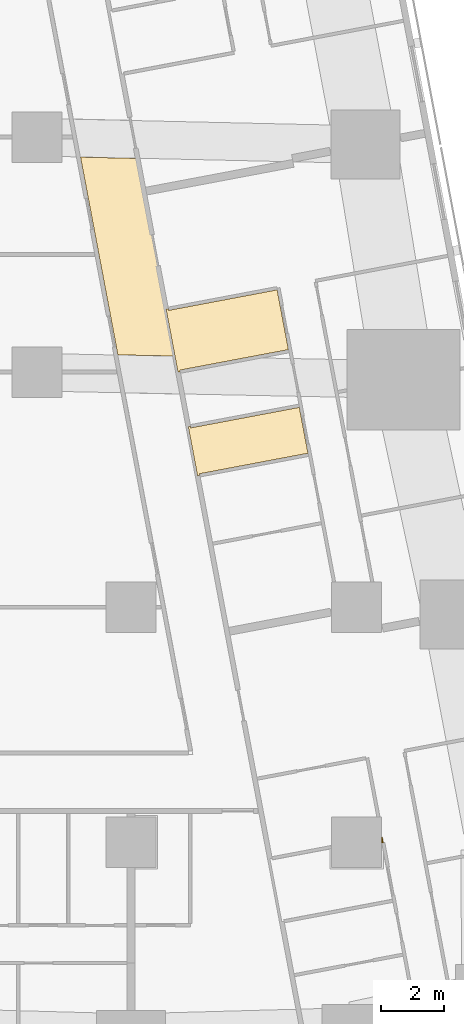
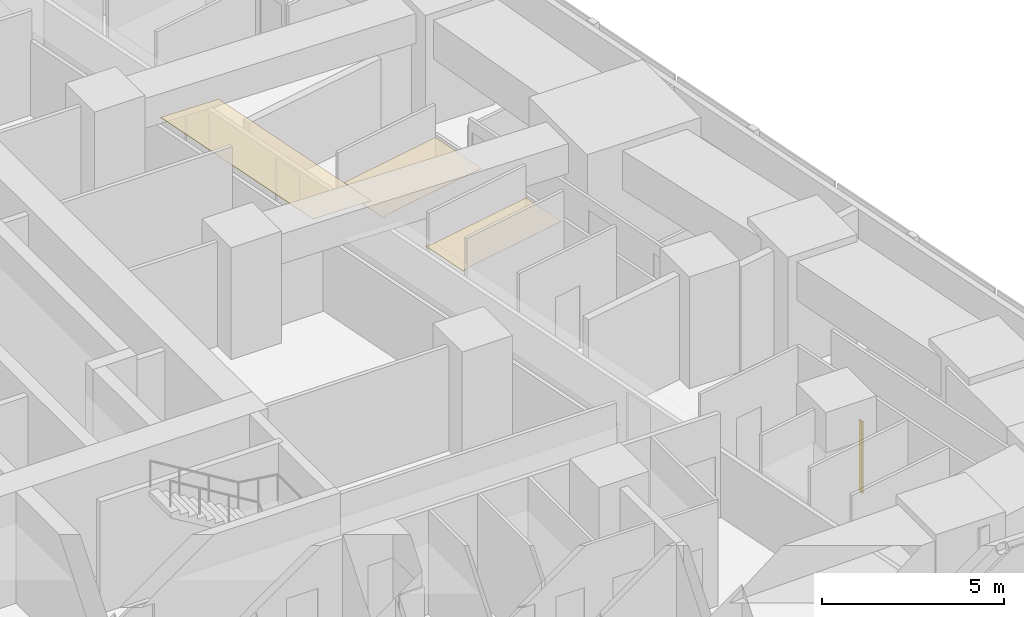
# One storey, part 15 of 16: 4 coverings.
"""IFC4 building model written with IfcOpenShell, lengths in metres."""

from ifc_helpers import new_model, si_unit, direction, frame, origin, place, context, subcontext, project, spatial, polyline, outline, extrude, material, layer, layer_set, type_object, element, save


model = new_model("IFC4")

# Units and contexts
model_context = context("Model", 3, precision=1e-05, world=origin(), true_north=direction((0.0, 1.0)))
body_context = subcontext(model_context, "Body", "Model", "MODEL_VIEW")
ifc_project = project(units=[si_unit("LENGTHUNIT", "METRE"), si_unit("AREAUNIT", "SQUARE_METRE"), si_unit("VOLUMEUNIT", "CUBIC_METRE"), si_unit("PLANEANGLEUNIT", "RADIAN"), si_unit("MASSUNIT", "GRAM", prefix="KILO")], contexts=[model_context])

# Site, building, storey
site_placement = place(None, origin())
site = spatial("IfcSite", under=ifc_project, at=site_placement, CompositionType="ELEMENT")
building_placement = place(site_placement, origin())
building = spatial("IfcBuilding", under=site, at=building_placement, Name="Sheger Commons Tower", CompositionType="ELEMENT")
storey_placement = place(building_placement, frame((0.0, 0.0, 89.14990234375)))
storey = spatial("IfcBuildingStorey", under=building, at=storey_placement, Name="L22", CompositionType="ELEMENT", Elevation=89.14990234375)

# Coverings
ifc_material_1 = material(Name="Moisture-resistant gypsum plasterboard 15 mm on a suspended galvanised steel grid", Category="steel")
ifc_layer_1 = layer(ifc_material_1, 0.014892578125)
ifc_layer_set_1 = layer_set([ifc_layer_1], Name="MOISTURE-RESISTANT CEILING 15")
covering_type_1 = type_object("IfcCoveringType", Name="MOISTURE-RESISTANT CEILING 15", PredefinedType="CEILING", material=ifc_layer_set_1)
covering_1_placement = place(storey_placement, frame((0.0, 0.0, 2.400146484375)))
element("IfcCovering", 1, at=covering_1_placement, inside=storey, type_object=covering_type_1, Name="L22-10.B1 ceiling", PredefinedType="CEILING", context=body_context, shape_type="SweptSolid", body=[
    extrude(outline(polyline([(37.5, 22.5), (37.568115234375, 22.512939453125), (37.55810546875, 22.56689453125), (41.02197265625, 23.220947265625), (40.662109375, 25.1279296875), (37.197998046875, 24.472900390625), (37.18798828125, 24.527099609375), (37.118896484375, 24.513916015625), (37.5, 22.5)])), origin(), (0.0, 0.0, 1.0), 0.014892578125),
])
covering_2_placement = place(storey_placement, frame((0.0, 0.0, 2.400146484375)))
element("IfcCovering", 2, at=covering_2_placement, inside=storey, type_object=covering_type_1, Name="L22-10.B2 ceiling", PredefinedType="CEILING", context=body_context, shape_type="SweptSolid", body=[
    extrude(outline(polyline([(38.1240234375, 19.193115234375), (38.193115234375, 19.2060546875), (38.18310546875, 19.259033203125), (41.64697265625, 19.9140625), (41.3701171875, 21.3779296875), (37.906005859375, 20.72412109375), (37.89599609375, 20.778076171875), (37.826904296875, 20.764892578125), (38.1240234375, 19.193115234375)])), origin(), (0.0, 0.0, 1.0), 0.014892578125),
])
ifc_material_2 = material(Name="Gypsum plasterboard 15 mm on a suspended steel grid", Category="steel")
ifc_layer_2 = layer(ifc_material_2, 0.014892578125)
ifc_layer_set_2 = layer_set([ifc_layer_2], Name="SUSPENDED CEILING 15")
covering_type_2 = type_object("IfcCoveringType", Name="SUSPENDED CEILING 15", PredefinedType="CEILING", material=ifc_layer_set_2)
covering_3_placement = place(storey_placement, frame((0.0, 0.0, 2.7001953125)))
element("IfcCovering", 3, at=covering_3_placement, inside=storey, type_object=covering_type_2, Name="L22-CO ceiling", PredefinedType="CEILING", context=body_context, shape_type="SweptSolid", body=[
    extrude(outline(polyline([(37.402099609375, 23.01611328125), (36.2109375, 29.322021484375), (34.388916015625, 29.363037109375), (35.5810546875, 23.052978515625), (37.402099609375, 23.01611328125)])), origin(), (0.0, 0.0, 1.0), 0.014892578125),
])
ifc_material_3 = material(Name="Moisture-resistant gypsum board 12.5 mm on 25 mm treated timber battens, tanked and tiled", Category="wood")
ifc_layer_3 = layer(ifc_material_3, 0.050048828125)
ifc_layer_set_3 = layer_set([ifc_layer_3], Name="WET-ROOM COLUMN LINING")
covering_type_3 = type_object("IfcCoveringType", Name="WET-ROOM COLUMN LINING", PredefinedType="CLADDING", material=ifc_layer_set_3)
covering_4_placement = place(storey_placement, origin())
element("IfcCovering", 4, at=covering_4_placement, inside=storey, type_object=covering_type_3, Name="Bathroom column lining C9 L22", PredefinedType="CLADDING", context=body_context, shape_type="SweptSolid", body=[
    extrude(outline(polyline([(44.0, 7.652099609375), (44.01806640625, 7.655029296875), (44.049072265625, 7.489990234375), (44.0, 7.48095703125), (44.0, 7.652099609375)])), origin(), (0.0, 0.0, 1.0), 2.400146484375),
])

save(model, "model.ifc")
